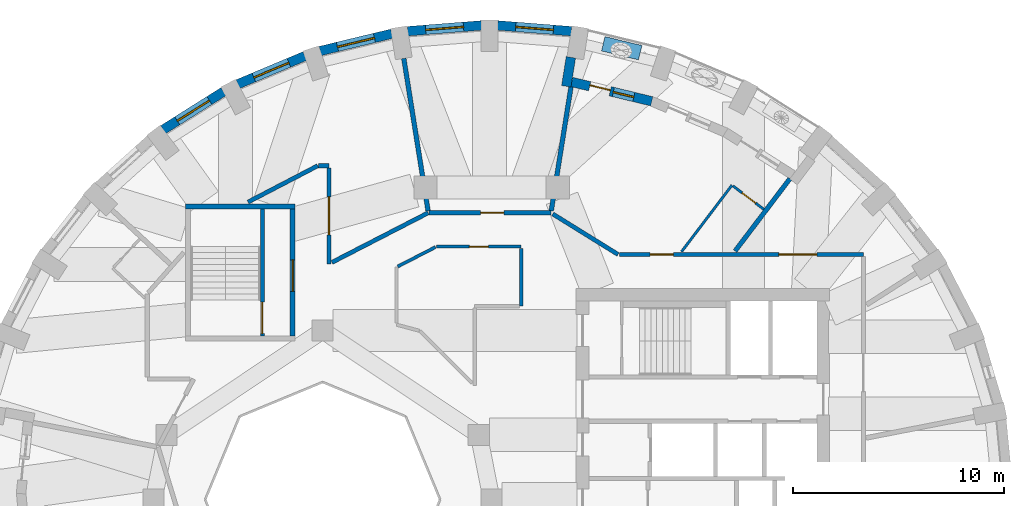
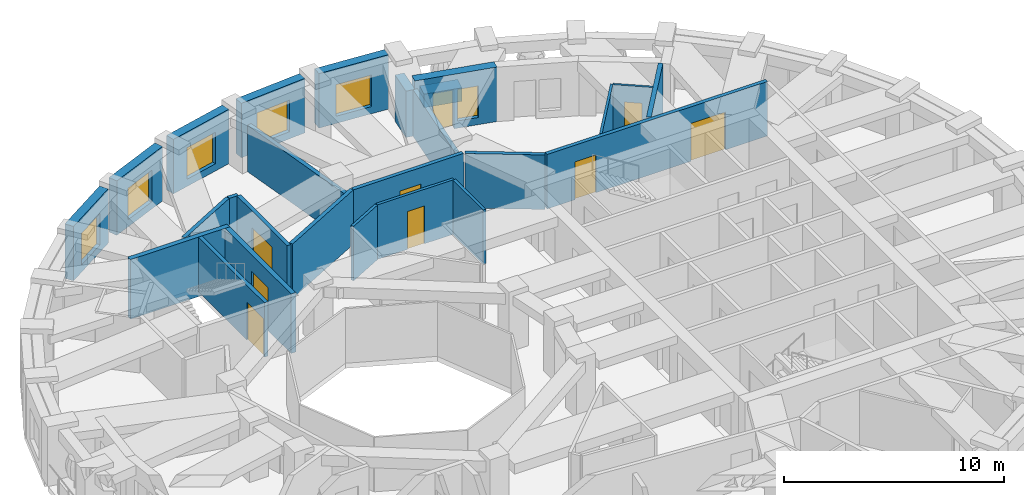
# One storey, part 7 of 12: 26 walls, 9 doors, 6 windows, 15 openings.
"""IFC4 building model written with IfcOpenShell, lengths in metres."""

import ifcopenshell
import ifcopenshell.guid

model = None  # the IFC model being written
_history = None  # IfcOwnerHistory: only IFC2X3 demands one
_inside = {}  # id of a spatial element -> (the spatial element, [elements in it])
_under = {}  # id of a project, library or spatial element -> (it, [spatial elements below it])
_declared = {}  # id of a project -> (the project, [libraries it declares])
_typed = {}  # id of a type object -> (the type object, [elements of that type])
_made_of = {}  # id of a material, layer set ... -> (it, [elements and type objects made of it])


def new_model(schema):
    """Start an empty IFC model of exactly this schema.

    Asked for "IFC4X3", IfcOpenShell would pick the latest addendum, in which some entities
    have other attributes; the version numbers below select the first issue.
    IFC2X3 requires an IfcOwnerHistory on every rooted entity: one is made here for all.
    """
    global model, _history
    if schema == "IFC4X3":
        model = ifcopenshell.file(schema_version=(4, 3, 0, 0))
    else:
        model = ifcopenshell.file(schema=schema)
    _inside.clear()
    _under.clear()
    _declared.clear()
    _typed.clear()
    _made_of.clear()
    _history = None
    if model.schema == "IFC2X3":
        org = make("IfcOrganization", Name="unknown")
        user = make(
            "IfcPersonAndOrganization",
            ThePerson=make("IfcPerson", FamilyName="unknown"),
            TheOrganization=org,
        )
        app = make(
            "IfcApplication",
            ApplicationDeveloper=org,
            Version="unknown",
            ApplicationFullName="unknown",
            ApplicationIdentifier="unknown",
        )
        _history = make(
            "IfcOwnerHistory",
            OwningUser=user,
            OwningApplication=app,
            ChangeAction="ADDED",
            CreationDate=0,
        )
    return model


def make(cls, **values):
    """One entity of the class cls with the attributes given. An attribute that is None is left unset."""
    return model.create_entity(
        cls, **{name: value for name, value in values.items() if value is not None}
    )


def rooted(cls, **values):
    """An entity with a GlobalId (a new one), such as an element, a storey or a relation."""
    return make(cls, GlobalId=ifcopenshell.guid.new(), OwnerHistory=_history, **values)


def si_unit(unit_type, name, prefix=None):
    """IfcSIUnit, for example si_unit("LENGTHUNIT", "METRE", prefix="MILLI")."""
    return make("IfcSIUnit", UnitType=unit_type, Prefix=prefix, Name=name)


def assignment(units):
    """IfcUnitAssignment: the units of a project."""
    return None if units is None else make("IfcUnitAssignment", Units=units)


def point(xyz):
    """IfcCartesianPoint."""
    return None if xyz is None else make("IfcCartesianPoint", Coordinates=xyz)


def direction(xyz):
    """IfcDirection."""
    return None if xyz is None else make("IfcDirection", DirectionRatios=xyz)


def frame(location, z_axis=None, x_axis=None):
    """IfcAxis2Placement3D, a coordinate frame: its origin and axes. An axis left out is left unset."""
    return make(
        "IfcAxis2Placement3D",
        Location=point(location),
        Axis=direction(z_axis),
        RefDirection=direction(x_axis),
    )


def frame_2d(location, x_axis=None):
    """IfcAxis2Placement2D, a coordinate frame in the plane: its origin and x axis."""
    return make(
        "IfcAxis2Placement2D", Location=point(location), RefDirection=direction(x_axis)
    )


def origin():
    """The frame at (0, 0, 0) with its axes left unset."""
    return frame((0.0, 0.0, 0.0))


def place(relative_to, where):
    """IfcLocalPlacement: puts the frame where relative to a parent placement (None: the world)."""
    return make(
        "IfcLocalPlacement", PlacementRelTo=relative_to, RelativePlacement=where
    )


def context(
    kind, dimensions, precision=None, world=None, true_north=None, identifier=None
):
    """IfcGeometricRepresentationContext, for example the 3D "Model" context."""
    return make(
        "IfcGeometricRepresentationContext",
        ContextIdentifier=identifier,
        ContextType=kind,
        CoordinateSpaceDimension=dimensions,
        Precision=precision,
        WorldCoordinateSystem=world,
        TrueNorth=true_north,
    )


def subcontext(parent, identifier, kind, view, scale=None):
    """IfcGeometricRepresentationSubContext, for example "Body" below "Model"."""
    return make(
        "IfcGeometricRepresentationSubContext",
        ContextIdentifier=identifier,
        ContextType=kind,
        ParentContext=parent,
        TargetScale=scale,
        TargetView=view,
    )


def project(units=None, contexts=None):
    """IfcProject with its units and contexts."""
    return rooted(
        "IfcProject",
        Name="project",
        RepresentationContexts=contexts,
        UnitsInContext=assignment(units),
    )


def spatial(cls, under=None, at=None, **own):
    """A site, building, storey or space (cls), placed at a placement, below another one or the project."""
    s = rooted(cls, ObjectPlacement=at, **own)
    if under is not None:
        _under.setdefault(under.id(), (under, []))[1].append(s)
    return s


def profile(cls, at=None, kind="AREA", **sizes):
    """A parametric profile (cls). Its sizes go by their IFC names, for example OverallWidth=200.0."""
    return make(cls, ProfileType=kind, Position=at, **sizes)


def rectangle(**sizes):
    """IfcRectangleProfileDef."""
    return profile("IfcRectangleProfileDef", **sizes)


def extrude(swept, where, along, depth):
    """IfcExtrudedAreaSolid: the profile swept, set in the frame where, extruded along a direction by depth."""
    return make(
        "IfcExtrudedAreaSolid",
        SweptArea=swept,
        Position=where,
        ExtrudedDirection=direction(along),
        Depth=depth,
    )


def shape(context_of_items, identifier, shape_type, items):
    """IfcShapeRepresentation: the items that make up one representation, for example the "Body"."""
    return make(
        "IfcShapeRepresentation",
        ContextOfItems=context_of_items,
        RepresentationIdentifier=identifier,
        RepresentationType=shape_type,
        Items=items,
    )


def material(Name=None, Category=None):
    """IfcMaterial."""
    return make("IfcMaterial", Name=Name, Category=Category)


def layer(
    of_material, thickness, ventilated=None, Name=None, Category=None, Priority=None
):
    """IfcMaterialLayer: one layer of a wall or slab, of a material (None: an air gap)."""
    return make(
        "IfcMaterialLayer",
        Material=of_material,
        LayerThickness=thickness,
        IsVentilated=ventilated,
        Name=Name,
        Category=Category,
        Priority=Priority,
    )


def layer_set(layers, Name=None):
    """IfcMaterialLayerSet."""
    return make("IfcMaterialLayerSet", MaterialLayers=layers, LayerSetName=Name)


def constituent(of_material, Name=None, Category=None, fraction=None):
    """IfcMaterialConstituent: one of the materials an element consists of."""
    return make(
        "IfcMaterialConstituent",
        Name=Name,
        Material=of_material,
        Fraction=fraction,
        Category=Category,
    )


def constituent_set(constituents=None, Name=None):
    """IfcMaterialConstituentSet."""
    return make(
        "IfcMaterialConstituentSet", Name=Name, MaterialConstituents=constituents
    )


def made_of(thing, what):
    """Note that an element or type object is made of a material, layer set ...; save() writes the relation."""
    if what is not None:
        _made_of.setdefault(what.id(), (what, []))[1].append(thing)
    return thing


def type_object(cls, material=None, **own):
    """A type object (cls), such as IfcWallType, which elements share."""
    return made_of(rooted(cls, **own), material)


def element(
    cls,
    number,
    at=None,
    inside=None,
    cuts=None,
    type_object=None,
    material=None,
    context=None,
    identifier="Body",
    shape_type=None,
    held_by="IfcProductDefinitionShape",
    body=None,
    shapes=None,
    **own,
):
    """One element of the class cls, such as IfcWall. Its Tag is "e" and its number.

    at: its placement. inside: the storey or other place that contains it. cuts: it is an
    opening in that element (IfcRelVoidsElement). A single representation is given by context,
    identifier, shape_type and body (its items); several are given by shapes. held_by: the class
    of the entity that holds the representations. save() writes the other relations.
    """
    e = rooted(cls, Tag="e%d" % number, ObjectPlacement=at, **own)
    if body is not None:
        shapes = [shape(context, identifier, shape_type, body)]
    if shapes is not None:
        e.Representation = make(held_by, Representations=shapes)
    if inside is not None:
        _inside.setdefault(inside.id(), (inside, []))[1].append(e)
    if cuts is not None:
        rooted(
            "IfcRelVoidsElement", RelatingBuildingElement=cuts, RelatedOpeningElement=e
        )
    if type_object is not None:
        _typed.setdefault(type_object.id(), (type_object, []))[1].append(e)
    return made_of(e, material)


def fill(opening, filler):
    """IfcRelFillsElement: the door or window that sits in an opening."""
    return rooted(
        "IfcRelFillsElement",
        RelatingOpeningElement=opening,
        RelatedBuildingElement=filler,
    )


def aggregate(whole, parts):
    """IfcRelAggregates: a whole, such as a stair, and the parts it consists of."""
    return rooted("IfcRelAggregates", RelatingObject=whole, RelatedObjects=parts)


def save(model, path):
    """Write the relations noted so far, then the file.

    IfcRelAggregates (storeys below a building ...), IfcRelContainedInSpatialStructure (elements
    in a storey), IfcRelDefinesByType, IfcRelAssociatesMaterial and IfcRelDeclares: one each for
    every whole, place, type object, material and project.
    """
    for whole, parts in _under.values():
        aggregate(whole, parts)
    for where, things in _inside.values():
        rooted(
            "IfcRelContainedInSpatialStructure",
            RelatedElements=things,
            RelatingStructure=where,
        )
    for kind, things in _typed.values():
        rooted("IfcRelDefinesByType", RelatedObjects=things, RelatingType=kind)
    for what, things in _made_of.values():
        rooted("IfcRelAssociatesMaterial", RelatedObjects=things, RelatingMaterial=what)
    for by, libraries in _declared.values():
        rooted("IfcRelDeclares", RelatingContext=by, RelatedDefinitions=libraries)
    model.write(path)


model = new_model("IFC4")

# Units and contexts
model_context = context("Model", 3, precision=1e-05, world=origin(), true_north=direction((0.0, 1.0)))
body_context = subcontext(model_context, "Body", "Model", "MODEL_VIEW")
ifc_project = project(units=[si_unit("LENGTHUNIT", "METRE"), si_unit("AREAUNIT", "SQUARE_METRE"), si_unit("VOLUMEUNIT", "CUBIC_METRE"), si_unit("PLANEANGLEUNIT", "RADIAN"), si_unit("MASSUNIT", "GRAM", prefix="KILO")], contexts=[model_context])

# Site, building, storey
site_placement = place(None, origin())
site = spatial("IfcSite", under=ifc_project, at=site_placement, CompositionType="ELEMENT")
building_placement = place(site_placement, origin())
building = spatial("IfcBuilding", under=site, at=building_placement, Name="Taillehof Tower", CompositionType="ELEMENT")
storey_placement = place(building_placement, frame((0.0, 0.0, 236.60009765625)))
storey = spatial("IfcBuildingStorey", under=building, at=storey_placement, Name="L67", CompositionType="ELEMENT", Elevation=236.60009765625)

# Wall, opening, window
ifc_material_1 = material(Name="Brick masonry", Category="masonry")
ifc_layer_1 = layer(ifc_material_1, 0.449951171875)
ifc_layer_set_1 = layer_set([ifc_layer_1], Name="Brick infill wall 450")
wall_type_1 = type_object("IfcWallType", Name="Brick infill wall 450", PredefinedType="SOLIDWALL", material=ifc_layer_set_1)
wall_1_placement = place(storey_placement, frame((3.778564453125, 22.168701171875, 0.0), z_axis=(0.0, 0.0, 1.0), x_axis=(-0.996910775835, 0.078542377245, 0.0)))
wall_1 = element("IfcWall", 1, at=wall_1_placement, inside=storey, type_object=wall_type_1, Name="Brick wall L67 bay 9", PredefinedType="SOLIDWALL", context=body_context, shape_type="SweptSolid", body=[
    extrude(rectangle(XDim=3.50927734375, YDim=0.449951171875, at=frame_2d((1.754638671875, 0.0))), origin(), (0.0, 0.0, 1.0), 3.02001953125),
])
opening_1_placement = place(wall_1_placement, frame((0.854736328125, 0.0, 0.39990234375)))
opening_1 = element("IfcOpeningElement", 2, at=opening_1_placement, cuts=wall_1, Name="Opening W4", PredefinedType="OPENING", context=body_context, shape_type="SweptSolid", body=[
    extrude(rectangle(XDim=1.800048828125, YDim=1.75, at=frame_2d((0.89990234375, 0.875))), frame((0.0, 0.23486328125, 0.0), z_axis=(0.0, -1.0, 0.0), x_axis=(1.0, 0.0, 0.0)), (0.0, 0.0, 1.0), 0.469970703125),
])
ifc_material_2 = material(Name="Aluminium window frame with clear double glazing", Category="aluminium")
window_type_1 = type_object("IfcWindowType", Name="Deep-set window 1800x1750", PartitioningType="SINGLE_PANEL", PredefinedType="WINDOW", material=ifc_material_2)
window_1_placement = place(opening_1_placement, origin())
window_1 = element("IfcWindow", 3, at=window_1_placement, inside=storey, type_object=window_type_1, Name="W4", OverallHeight=1.75, OverallWidth=1.800048828125, PartitioningType="SINGLE_PANEL", PredefinedType="WINDOW", context=body_context, shape_type="SweptSolid", body=[
    extrude(rectangle(XDim=1.800048828125, YDim=1.75, at=frame_2d((0.89990234375, 0.875))), frame((0.0, 0.034912109375, 0.0), z_axis=(0.0, -1.0, 0.0), x_axis=(1.0, 0.0, 0.0)), (0.0, 0.0, 1.0), 0.06005859375),
])
fill(opening_1, window_1)

wall_2_placement = place(storey_placement, frame((-0.47998046875, 22.4443359375, 0.0), z_axis=(0.0, 0.0, 1.0), x_axis=(-0.996910775835, -0.078542377245, 0.0)))
wall_2 = element("IfcWall", 4, at=wall_2_placement, inside=storey, type_object=wall_type_1, Name="Brick wall L67 bay 10", PredefinedType="SOLIDWALL", context=body_context, shape_type="SweptSolid", body=[
    extrude(rectangle(XDim=3.50927734375, YDim=0.449951171875, at=frame_2d((1.754638671875, 0.0))), origin(), (0.0, 0.0, 1.0), 3.02001953125),
])
opening_2_placement = place(wall_2_placement, frame((0.854736328125, 0.0, 0.39990234375)))
opening_2 = element("IfcOpeningElement", 5, at=opening_2_placement, cuts=wall_2, Name="Opening W4", PredefinedType="OPENING", context=body_context, shape_type="SweptSolid", body=[
    extrude(rectangle(XDim=1.800048828125, YDim=1.75, at=frame_2d((0.89990234375, 0.875))), frame((0.0, 0.23486328125, 0.0), z_axis=(0.0, -1.0, 0.0), x_axis=(1.0, 0.0, 0.0)), (0.0, 0.0, 1.0), 0.469970703125),
])
window_2_placement = place(opening_2_placement, origin())
window_2 = element("IfcWindow", 6, at=window_2_placement, inside=storey, type_object=window_type_1, Name="W4", OverallHeight=1.75, OverallWidth=1.800048828125, PartitioningType="SINGLE_PANEL", PredefinedType="WINDOW", context=body_context, shape_type="SweptSolid", body=[
    extrude(rectangle(XDim=1.800048828125, YDim=1.75, at=frame_2d((0.89990234375, 0.875))), frame((0.0, 0.034912109375, 0.0), z_axis=(0.0, -1.0, 0.0), x_axis=(1.0, 0.0, 0.0)), (0.0, 0.0, 1.0), 0.06005859375),
])
fill(opening_2, window_2)

wall_3_placement = place(storey_placement, frame((-4.729248046875, 22.049560546875, 0.0), z_axis=(0.0, 0.0, 1.0), x_axis=(-0.972099278496, -0.23456980357, 0.0)))
wall_3 = element("IfcWall", 7, at=wall_3_placement, inside=storey, type_object=wall_type_1, Name="Brick wall L67 bay 11", PredefinedType="SOLIDWALL", context=body_context, shape_type="SweptSolid", body=[
    extrude(rectangle(XDim=3.486572265625, YDim=0.449951171875, at=frame_2d((1.7431640625, 0.0))), origin(), (0.0, 0.0, 1.0), 3.02001953125),
])
opening_3_placement = place(wall_3_placement, frame((0.84326171875, 0.0, 0.39990234375)))
opening_3 = element("IfcOpeningElement", 8, at=opening_3_placement, cuts=wall_3, Name="Opening W4", PredefinedType="OPENING", context=body_context, shape_type="SweptSolid", body=[
    extrude(rectangle(XDim=1.800048828125, YDim=1.75, at=frame_2d((0.89990234375, 0.875))), frame((0.0, 0.23486328125, 0.0), z_axis=(0.0, -1.0, 0.0), x_axis=(1.0, 0.0, 0.0)), (0.0, 0.0, 1.0), 0.469970703125),
])
window_3_placement = place(opening_3_placement, origin())
window_3 = element("IfcWindow", 9, at=window_3_placement, inside=storey, type_object=window_type_1, Name="W4", OverallHeight=1.75, OverallWidth=1.800048828125, PartitioningType="SINGLE_PANEL", PredefinedType="WINDOW", context=body_context, shape_type="SweptSolid", body=[
    extrude(rectangle(XDim=1.800048828125, YDim=1.75, at=frame_2d((0.89990234375, 0.875))), frame((0.0, 0.034912109375, 0.0), z_axis=(0.0, -1.0, 0.0), x_axis=(1.0, 0.0, 0.0)), (0.0, 0.0, 1.0), 0.06005859375),
])
fill(opening_3, window_3)

wall_4_placement = place(storey_placement, frame((-8.8408203125, 20.994873046875, 0.0), z_axis=(0.0, 0.0, 1.0), x_axis=(-0.922024627475, -0.387131226239, 0.0)))
wall_4 = element("IfcWall", 10, at=wall_4_placement, inside=storey, type_object=wall_type_1, Name="Brick wall L67 bay 12", PredefinedType="SOLIDWALL", context=body_context, shape_type="SweptSolid", body=[
    extrude(rectangle(XDim=3.443359375, YDim=0.449951171875, at=frame_2d((1.7216796875, 0.0))), origin(), (0.0, 0.0, 1.0), 3.02001953125),
])
opening_4_placement = place(wall_4_placement, frame((0.82177734375, 0.0, 0.39990234375)))
opening_4 = element("IfcOpeningElement", 11, at=opening_4_placement, cuts=wall_4, Name="Opening W4", PredefinedType="OPENING", context=body_context, shape_type="SweptSolid", body=[
    extrude(rectangle(XDim=1.800048828125, YDim=1.75, at=frame_2d((0.89990234375, 0.875))), frame((0.0, 0.23486328125, 0.0), z_axis=(0.0, -1.0, 0.0), x_axis=(1.0, 0.0, 0.0)), (0.0, 0.0, 1.0), 0.469970703125),
])
window_4_placement = place(opening_4_placement, origin())
window_4 = element("IfcWindow", 12, at=window_4_placement, inside=storey, type_object=window_type_1, Name="W4", OverallHeight=1.75, OverallWidth=1.800048828125, PartitioningType="SINGLE_PANEL", PredefinedType="WINDOW", context=body_context, shape_type="SweptSolid", body=[
    extrude(rectangle(XDim=1.800048828125, YDim=1.75, at=frame_2d((0.89990234375, 0.875))), frame((0.0, 0.034912109375, 0.0), z_axis=(0.0, -1.0, 0.0), x_axis=(1.0, 0.0, 0.0)), (0.0, 0.0, 1.0), 0.06005859375),
])
fill(opening_4, window_4)

wall_5_placement = place(storey_placement, frame((-12.68994140625, 19.31103515625, 0.0), z_axis=(0.0, 0.0, 1.0), x_axis=(-0.845929139811, -0.53329531258, 0.0)))
wall_5 = element("IfcWall", 13, at=wall_5_placement, inside=storey, type_object=wall_type_1, Name="Brick wall L67 bay 13", PredefinedType="SOLIDWALL", context=body_context, shape_type="SweptSolid", body=[
    extrude(rectangle(XDim=3.384521484375, YDim=0.449951171875, at=frame_2d((1.6923828125, 0.0))), origin(), (0.0, 0.0, 1.0), 3.02001953125),
])
opening_5_placement = place(wall_5_placement, frame((0.792236328125, 0.0, 0.39990234375)))
opening_5 = element("IfcOpeningElement", 14, at=opening_5_placement, cuts=wall_5, Name="Opening W4", PredefinedType="OPENING", context=body_context, shape_type="SweptSolid", body=[
    extrude(rectangle(XDim=1.800048828125, YDim=1.75, at=frame_2d((0.89990234375, 0.875))), frame((0.0, 0.23486328125, 0.0), z_axis=(0.0, -1.0, 0.0), x_axis=(1.0, 0.0, 0.0)), (0.0, 0.0, 1.0), 0.469970703125),
])
window_5_placement = place(opening_5_placement, origin())
window_5 = element("IfcWindow", 15, at=window_5_placement, inside=storey, type_object=window_type_1, Name="W4", OverallHeight=1.75, OverallWidth=1.800048828125, PartitioningType="SINGLE_PANEL", PredefinedType="WINDOW", context=body_context, shape_type="SweptSolid", body=[
    extrude(rectangle(XDim=1.800048828125, YDim=1.75, at=frame_2d((0.89990234375, 0.875))), frame((0.0, 0.034912109375, 0.0), z_axis=(0.0, -1.0, 0.0), x_axis=(1.0, 0.0, 0.0)), (0.0, 0.0, 1.0), 0.06005859375),
])
fill(opening_5, window_5)

# Wall
wall_6_placement = place(storey_placement, frame((3.75146484375, 20.93359375, 0.0), z_axis=(0.0, 0.0, 1.0), x_axis=(-0.157189016474, -0.9875685359, 0.0)))
element("IfcWall", 16, at=wall_6_placement, inside=storey, type_object=wall_type_1, Name="Brick reveal L67 pocket 1", PredefinedType="SOLIDWALL", context=body_context, shape_type="SweptSolid", body=[
    extrude(rectangle(XDim=1.39013671875, YDim=0.449951171875, at=frame_2d((0.695068359375, 0.0))), origin(), (0.0, 0.0, 1.0), 2.56982421875),
])

# Wall, openings, door, window
wall_7_placement = place(storey_placement, frame((7.57958984375, 18.8505859375, 0.0), z_axis=(0.0, 0.0, 1.0), x_axis=(-0.97195784986, 0.235155136231, 0.0)))
wall_7 = element("IfcWall", 17, at=wall_7_placement, inside=storey, type_object=wall_type_1, Name="Brick wall L67 pocket bay 8", PredefinedType="SOLIDWALL", context=body_context, shape_type="SweptSolid", body=[
    extrude(rectangle(XDim=3.895263671875, YDim=0.449951171875, at=frame_2d((1.94775390625, 0.0))), origin(), (0.0, 0.0, 1.0), 3.02001953125),
])
opening_6_placement = place(wall_7_placement, frame((0.872802734375, 0.0, 0.39990234375)))
opening_6 = element("IfcOpeningElement", 18, at=opening_6_placement, cuts=wall_7, Name="Opening W5", PredefinedType="OPENING", context=body_context, shape_type="SweptSolid", body=[
    extrude(rectangle(XDim=1.0, YDim=1.75, at=frame_2d((0.5, 0.875))), frame((0.0, 0.23486328125, 0.0), z_axis=(0.0, -1.0, 0.0), x_axis=(1.0, 0.0, 0.0)), (0.0, 0.0, 1.0), 0.469970703125),
])
opening_7_placement = place(wall_7_placement, frame((2.022705078125, 0.0, 0.0)))
opening_7 = element("IfcOpeningElement", 19, at=opening_7_placement, cuts=wall_7, Name="Opening D6796", PredefinedType="OPENING", context=body_context, shape_type="SweptSolid", body=[
    extrude(rectangle(XDim=1.0, YDim=2.14990234375, at=frame_2d((0.5, 1.074951171875))), frame((0.0, 0.23486328125, 0.0), z_axis=(0.0, -1.0, 0.0), x_axis=(1.0, 0.0, 0.0)), (0.0, 0.0, 1.0), 0.469970703125),
])
ifc_material_3 = material(Name="Aluminium door frame with clear double glazing", Category="aluminium")
door_type_1 = type_object("IfcDoorType", Name="Balcony door 1000x2150", OperationType="SINGLE_SWING_RIGHT", PredefinedType="DOOR", material=ifc_material_3)
door_1_placement = place(opening_7_placement, frame((1.0, 0.0, 0.0), z_axis=(0.0, 0.0, 1.0), x_axis=(-1.0, 0.0, 0.0)))
door_1 = element("IfcDoor", 20, at=door_1_placement, inside=storey, type_object=door_type_1, Name="Balcony door L67 bay 8", OperationType="SINGLE_SWING_LEFT", OverallHeight=2.14990234375, OverallWidth=1.0, PredefinedType="DOOR", context=body_context, shape_type="SweptSolid", body=[
    extrude(rectangle(XDim=1.0, YDim=2.14990234375, at=frame_2d((0.5, 1.074951171875))), frame((0.0, 0.0751953125, 0.0), z_axis=(0.0, -1.0, 0.0), x_axis=(1.0, 0.0, 0.0)), (0.0, 0.0, 1.0), 0.050048828125),
])
fill(opening_7, door_1)
ifc_material_4 = material(Name="Aluminium window frame with clear double glazing", Category="aluminium")
window_type_2 = type_object("IfcWindowType", Name="Fixed window 1000x1750", PartitioningType="SINGLE_PANEL", PredefinedType="WINDOW", material=ifc_material_4)
window_6_placement = place(opening_6_placement, origin())
window_6 = element("IfcWindow", 21, at=window_6_placement, inside=storey, type_object=window_type_2, Name="W5", OverallHeight=1.75, OverallWidth=1.0, PartitioningType="SINGLE_PANEL", PredefinedType="WINDOW", context=body_context, shape_type="SweptSolid", body=[
    extrude(rectangle(XDim=1.0, YDim=1.75, at=frame_2d((0.5, 0.875))), frame((0.0, 0.034912109375, 0.0), z_axis=(0.0, -1.0, 0.0), x_axis=(1.0, 0.0, 0.0)), (0.0, 0.0, 1.0), 0.06005859375),
])
fill(opening_6, window_6)

# Walls
ifc_material_5 = material(Name="Gypsum board on steel studs, two layers each side", Category="steel")
ifc_layer_2 = layer(ifc_material_5, 0.199951171875)
ifc_layer_set_2 = layer_set([ifc_layer_2], Name="Compartment wall corridor 200")
wall_type_2 = type_object("IfcWallType", Name="Compartment wall corridor 200", PredefinedType="PARTITIONING", material=ifc_layer_set_2)
wall_8_placement = place(storey_placement, frame((-11.53369140625, 14.080810546875, 0.0), z_axis=(0.0, 0.0, 1.0), x_axis=(0.886975089277, 0.461817270143, 0.0)))
element("IfcWall", 22, at=wall_8_placement, inside=storey, type_object=wall_type_2, Name="Compartment wall", PredefinedType="PARTITIONING", context=body_context, shape_type="SweptSolid", body=[
    extrude(rectangle(XDim=3.72265625, YDim=0.199951171875, at=frame_2d((1.861328125, 0.0))), origin(), (0.0, 0.0, 1.0), 3.02001953125),
])
wall_9_placement = place(storey_placement, frame((-8.191650390625, 15.800048828125, 0.0), z_axis=(0.0, 0.0, 1.0), x_axis=(1.0, 0.0, 0.0)))
element("IfcWall", 23, at=wall_9_placement, inside=storey, type_object=wall_type_2, Name="Compartment wall", PredefinedType="PARTITIONING", context=body_context, shape_type="SweptSolid", body=[
    extrude(rectangle(XDim=0.49169921875, YDim=0.199951171875, at=frame_2d((0.245849609375, 0.0))), origin(), (0.0, 0.0, 1.0), 3.02001953125),
])

# Wall, opening, door
wall_10_placement = place(storey_placement, frame((-7.699951171875, 15.699951171875, 0.0), z_axis=(0.0, 0.0, 1.0), x_axis=(0.0, -1.0, 0.0)))
wall_10 = element("IfcWall", 24, at=wall_10_placement, inside=storey, type_object=wall_type_2, Name="Compartment wall", PredefinedType="PARTITIONING", context=body_context, shape_type="SweptSolid", body=[
    extrude(rectangle(XDim=4.546875, YDim=0.199951171875, at=frame_2d((2.2734375, 0.0))), origin(), (0.0, 0.0, 1.0), 3.02001953125),
])
opening_8_placement = place(wall_10_placement, frame((1.37353515625, 0.0, 0.0)))
opening_8 = element("IfcOpeningElement", 25, at=opening_8_placement, cuts=wall_10, Name="Opening D6743", PredefinedType="OPENING", context=body_context, shape_type="SweptSolid", body=[
    extrude(rectangle(XDim=1.800048828125, YDim=2.10009765625, at=frame_2d((0.89990234375, 1.050048828125))), frame((0.0, 0.10986328125, 0.0), z_axis=(0.0, -1.0, 0.0), x_axis=(1.0, 0.0, 0.0)), (0.0, 0.0, 1.0), 0.219970703125),
])
ifc_material_6 = material(Name="Timber door leaf in steel frame", Category="steel")
door_type_2 = type_object("IfcDoorType", Name="Lounge and meeting room double door EI 30 1800 x 2100", OperationType="SINGLE_SWING_LEFT", PredefinedType="DOOR", material=ifc_material_6)
door_2_placement = place(opening_8_placement, origin())
door_2 = element("IfcDoor", 26, at=door_2_placement, inside=storey, type_object=door_type_2, Name="D6743", OperationType="DOUBLE_DOOR_SINGLE_SWING", OverallHeight=2.10009765625, OverallWidth=1.800048828125, PredefinedType="DOOR", context=body_context, shape_type="SweptSolid", body=[
    extrude(rectangle(XDim=1.800048828125, YDim=2.10009765625, at=frame_2d((0.89990234375, 1.050048828125))), frame((0.0, 0.02490234375, 0.0), z_axis=(0.0, -1.0, 0.0), x_axis=(1.0, 0.0, 0.0)), (0.0, 0.0, 1.0), 0.050048828125),
])
fill(opening_8, door_2)

# Wall
wall_11_placement = place(storey_placement, frame((-7.557373046875, 11.227294921875, 0.0), z_axis=(0.0, 0.0, 1.0), x_axis=(0.889060449642, 0.457789817364, 0.0)))
element("IfcWall", 27, at=wall_11_placement, inside=storey, type_object=wall_type_2, Name="Compartment wall", PredefinedType="PARTITIONING", context=body_context, shape_type="SweptSolid", body=[
    extrude(rectangle(XDim=5.11865234375, YDim=0.199951171875, at=frame_2d((2.559326171875, 0.0))), origin(), (0.0, 0.0, 1.0), 3.02001953125),
])

# Wall, opening, door
wall_12_placement = place(storey_placement, frame((-2.966552734375, 13.570556640625, 0.0), z_axis=(0.0, 0.0, 1.0), x_axis=(1.0, 0.0, 0.0)))
wall_12 = element("IfcWall", 28, at=wall_12_placement, inside=storey, type_object=wall_type_2, Name="Compartment wall", PredefinedType="PARTITIONING", context=body_context, shape_type="SweptSolid", body=[
    extrude(rectangle(XDim=5.773193359375, YDim=0.199951171875, at=frame_2d((2.88671875, 0.0))), origin(), (0.0, 0.0, 1.0), 3.02001953125),
])
opening_9_placement = place(wall_12_placement, frame((2.441162109375, 0.0, 0.0)))
opening_9 = element("IfcOpeningElement", 29, at=opening_9_placement, cuts=wall_12, Name="Opening D6742", PredefinedType="OPENING", context=body_context, shape_type="SweptSolid", body=[
    extrude(rectangle(XDim=1.10009765625, YDim=2.10009765625, at=frame_2d((0.550048828125, 1.050048828125))), frame((0.0, 0.10986328125, 0.0), z_axis=(0.0, -1.0, 0.0), x_axis=(1.0, 0.0, 0.0)), (0.0, 0.0, 1.0), 0.219970703125),
])
ifc_material_7 = material(Name="Timber door leaf in steel frame", Category="steel")
door_type_3 = type_object("IfcDoorType", Name="Suite entrance door EI 30 1100 x 2100", OperationType="SINGLE_SWING_LEFT", PredefinedType="DOOR", material=ifc_material_7)
door_3_placement = place(opening_9_placement, origin())
door_3 = element("IfcDoor", 30, at=door_3_placement, inside=storey, type_object=door_type_3, Name="D6742", OperationType="SINGLE_SWING_RIGHT", OverallHeight=2.10009765625, OverallWidth=1.10009765625, PredefinedType="DOOR", context=body_context, shape_type="SweptSolid", body=[
    extrude(rectangle(XDim=1.10009765625, YDim=2.10009765625, at=frame_2d((0.550048828125, 1.050048828125))), frame((0.0, 0.02490234375, 0.0), z_axis=(0.0, -1.0, 0.0), x_axis=(1.0, 0.0, 0.0)), (0.0, 0.0, 1.0), 0.050048828125),
])
fill(opening_9, door_3)

# Wall
wall_13_placement = place(storey_placement, frame((2.89208984375, 13.51806640625, 0.0), z_axis=(0.0, 0.0, 1.0), x_axis=(0.849866037624, -0.526998783769, 0.0)))
element("IfcWall", 31, at=wall_13_placement, inside=storey, type_object=wall_type_2, Name="Compartment wall", PredefinedType="PARTITIONING", context=body_context, shape_type="SweptSolid", body=[
    extrude(rectangle(XDim=3.639404296875, YDim=0.199951171875, at=frame_2d((1.81982421875, 0.0))), origin(), (0.0, 0.0, 1.0), 3.02001953125),
])

# Wall, openings, doors
wall_14_placement = place(storey_placement, frame((6.045166015625, 11.60009765625, 0.0), z_axis=(0.0, 0.0, 1.0), x_axis=(1.0, 0.0, 0.0)))
wall_14 = element("IfcWall", 32, at=wall_14_placement, inside=storey, type_object=wall_type_2, Name="Compartment wall", PredefinedType="PARTITIONING", context=body_context, shape_type="SweptSolid", body=[
    extrude(rectangle(XDim=11.554931640625, YDim=0.199951171875, at=frame_2d((5.77734375, 0.0))), origin(), (0.0, 0.0, 1.0), 3.02001953125),
])
opening_10_placement = place(wall_14_placement, frame((1.4609375, 0.0, 0.0)))
opening_10 = element("IfcOpeningElement", 33, at=opening_10_placement, cuts=wall_14, Name="Opening D6740", PredefinedType="OPENING", context=body_context, shape_type="SweptSolid", body=[
    extrude(rectangle(XDim=1.10009765625, YDim=2.10009765625, at=frame_2d((0.550048828125, 1.050048828125))), frame((0.0, 0.10986328125, 0.0), z_axis=(0.0, -1.0, 0.0), x_axis=(1.0, 0.0, 0.0)), (0.0, 0.0, 1.0), 0.219970703125),
])
opening_11_placement = place(wall_14_placement, frame((7.548828125, 0.0, 0.0)))
opening_11 = element("IfcOpeningElement", 34, at=opening_11_placement, cuts=wall_14, Name="Opening D6757", PredefinedType="OPENING", context=body_context, shape_type="SweptSolid", body=[
    extrude(rectangle(XDim=1.800048828125, YDim=2.10009765625, at=frame_2d((0.89990234375, 1.050048828125))), frame((0.0, 0.10986328125, 0.0), z_axis=(0.0, -1.0, 0.0), x_axis=(1.0, 0.0, 0.0)), (0.0, 0.0, 1.0), 0.219970703125),
])
door_4_placement = place(opening_11_placement, origin())
door_4 = element("IfcDoor", 35, at=door_4_placement, inside=storey, type_object=door_type_2, Name="D6757", OperationType="DOUBLE_DOOR_SINGLE_SWING", OverallHeight=2.10009765625, OverallWidth=1.800048828125, PredefinedType="DOOR", context=body_context, shape_type="SweptSolid", body=[
    extrude(rectangle(XDim=1.800048828125, YDim=2.10009765625, at=frame_2d((0.89990234375, 1.050048828125))), frame((0.0, 0.02490234375, 0.0), z_axis=(0.0, -1.0, 0.0), x_axis=(1.0, 0.0, 0.0)), (0.0, 0.0, 1.0), 0.050048828125),
])
fill(opening_11, door_4)
door_5_placement = place(opening_10_placement, origin())
door_5 = element("IfcDoor", 36, at=door_5_placement, inside=storey, type_object=door_type_3, Name="D6740", OperationType="SINGLE_SWING_RIGHT", OverallHeight=2.10009765625, OverallWidth=1.10009765625, PredefinedType="DOOR", context=body_context, shape_type="SweptSolid", body=[
    extrude(rectangle(XDim=1.10009765625, YDim=2.10009765625, at=frame_2d((0.550048828125, 1.050048828125))), frame((0.0, 0.02490234375, 0.0), z_axis=(0.0, -1.0, 0.0), x_axis=(1.0, 0.0, 0.0)), (0.0, 0.0, 1.0), 0.050048828125),
])
fill(opening_10, door_5)

# Walls
ifc_material_8 = material(Name="Gypsum board on double steel studs with mineral wool", Category="steel")
ifc_layer_3 = layer(ifc_material_8, 0.219970703125)
ifc_layer_set_3 = layer_set([ifc_layer_3], Name="Compartment wall guest room 220")
wall_type_3 = type_object("IfcWallType", Name="Compartment wall guest room 220", PredefinedType="PARTITIONING", material=ifc_layer_set_3)
wall_15_placement = place(storey_placement, frame((14.11865234375, 15.186767578125, 0.0), z_axis=(0.0, 0.0, 1.0), x_axis=(-0.604075434344, -0.796927141978, 0.0)))
element("IfcWall", 37, at=wall_15_placement, inside=storey, type_object=wall_type_3, Name="Compartment wall", PredefinedType="PARTITIONING", context=body_context, shape_type="SweptSolid", body=[
    extrude(rectangle(XDim=4.29541015625, YDim=0.219970703125, at=frame_2d((2.147705078125, 0.0))), origin(), (0.0, 0.0, 1.0), 3.02001953125),
])
wall_16_placement = place(storey_placement, frame((3.758056640625, 19.543701171875, 0.0), z_axis=(0.0, 0.0, 1.0), x_axis=(-0.157279717869, -0.987554094897, 0.0)))
element("IfcWall", 38, at=wall_16_placement, inside=storey, type_object=wall_type_3, Name="Compartment wall", PredefinedType="PARTITIONING", context=body_context, shape_type="SweptSolid", body=[
    extrude(rectangle(XDim=5.9482421875, YDim=0.219970703125, at=frame_2d((2.97412109375, 0.0))), origin(), (0.0, 0.0, 1.0), 2.56982421875),
])
wall_17_placement = place(storey_placement, frame((-4.158203125, 20.88037109375, 0.0), z_axis=(0.0, 0.0, 1.0), x_axis=(0.157260291638, -0.987557188559, 0.0)))
element("IfcWall", 39, at=wall_17_placement, inside=storey, type_object=wall_type_3, Name="Compartment wall", PredefinedType="PARTITIONING", context=body_context, shape_type="SweptSolid", body=[
    extrude(rectangle(XDim=7.302734375, YDim=0.219970703125, at=frame_2d((3.6513671875, 0.0))), origin(), (0.0, 0.0, 1.0), 2.56982421875),
])

# Wall, opening, door
ifc_material_9 = material(Name="Gypsum board on steel studs, two layers each side", Category="steel")
ifc_layer_4 = layer(ifc_material_9, 0.14990234375)
ifc_layer_set_4 = layer_set([ifc_layer_4], Name="Compartment wall service room 150")
wall_type_4 = type_object("IfcWallType", Name="Compartment wall service room 150", PredefinedType="PARTITIONING", material=ifc_layer_set_4)
wall_18_placement = place(storey_placement, frame((-2.618896484375, 11.970458984375, 0.0), z_axis=(0.0, 0.0, 1.0), x_axis=(1.0, 0.0, 0.0)))
wall_18 = element("IfcWall", 40, at=wall_18_placement, inside=storey, type_object=wall_type_4, Name="Compartment wall", PredefinedType="PARTITIONING", context=body_context, shape_type="SweptSolid", body=[
    extrude(rectangle(XDim=4.018798828125, YDim=0.14990234375, at=frame_2d((2.00927734375, 0.0))), origin(), (0.0, 0.0, 1.0), 3.02001953125),
])
opening_12_placement = place(wall_18_placement, frame((1.559326171875, 0.0, 0.0)))
opening_12 = element("IfcOpeningElement", 41, at=opening_12_placement, cuts=wall_18, Name="Opening D6758", PredefinedType="OPENING", context=body_context, shape_type="SweptSolid", body=[
    extrude(rectangle(XDim=0.89990234375, YDim=2.10009765625, at=frame_2d((0.449951171875, 1.050048828125))), frame((0.0, 0.0849609375, 0.0), z_axis=(0.0, -1.0, 0.0), x_axis=(1.0, 0.0, 0.0)), (0.0, 0.0, 1.0), 0.169921875),
])
ifc_material_10 = material(Name="Timber door leaf in steel frame", Category="steel")
door_type_4 = type_object("IfcDoorType", Name="Service room door EI 30 900 x 2100", OperationType="SINGLE_SWING_LEFT", PredefinedType="DOOR", material=ifc_material_10)
door_6_placement = place(opening_12_placement, origin())
door_6 = element("IfcDoor", 42, at=door_6_placement, inside=storey, type_object=door_type_4, Name="D6758", OperationType="SINGLE_SWING_RIGHT", OverallHeight=2.10009765625, OverallWidth=0.89990234375, PredefinedType="DOOR", context=body_context, shape_type="SweptSolid", body=[
    extrude(rectangle(XDim=0.89990234375, YDim=2.10009765625, at=frame_2d((0.449951171875, 1.050048828125))), frame((0.0, 0.02490234375, 0.0), z_axis=(0.0, -1.0, 0.0), x_axis=(1.0, 0.0, 0.0)), (0.0, 0.0, 1.0), 0.050048828125),
])
fill(opening_12, door_6)

# Walls
wall_19_placement = place(storey_placement, frame((1.39990234375, 11.890380859375, 0.0), z_axis=(0.0, 0.0, 1.0), x_axis=(0.0, -1.0, 0.0)))
element("IfcWall", 43, at=wall_19_placement, inside=storey, type_object=wall_type_4, Name="Compartment wall", PredefinedType="PARTITIONING", context=body_context, shape_type="SweptSolid", body=[
    extrude(rectangle(XDim=2.740478515625, YDim=0.14990234375, at=frame_2d((1.3701171875, 0.0))), origin(), (0.0, 0.0, 1.0), 3.02001953125),
])
wall_20_placement = place(storey_placement, frame((-4.446533203125, 11.029296875, 0.0), z_axis=(0.0, 0.0, 1.0), x_axis=(0.88908361723, 0.457744821459, 0.0)))
element("IfcWall", 44, at=wall_20_placement, inside=storey, type_object=wall_type_4, Name="Compartment wall", PredefinedType="PARTITIONING", context=body_context, shape_type="SweptSolid", body=[
    extrude(rectangle(XDim=2.015625, YDim=0.14990234375, at=frame_2d((1.0078125, 0.0))), origin(), (0.0, 0.0, 1.0), 3.02001953125),
])
ifc_material_11 = material(Name="Gypsum board on steel studs, moisture resistant", Category="steel")
ifc_layer_5 = layer(ifc_material_11, 0.1201171875)
ifc_layer_set_5 = layer_set([ifc_layer_5], Name="En-suite wall 120")
wall_type_5 = type_object("IfcWallType", Name="En-suite wall 120", PredefinedType="PARTITIONING", material=ifc_layer_set_5)
wall_21_placement = place(storey_placement, frame((8.990478515625, 11.73193359375, 0.0), z_axis=(0.0, 0.0, 1.0), x_axis=(0.604075378366, 0.79692718441, 0.0)))
element("IfcWall", 45, at=wall_21_placement, inside=storey, type_object=wall_type_5, Name="En-suite wall", PredefinedType="PARTITIONING", context=body_context, shape_type="SweptSolid", body=[
    extrude(rectangle(XDim=3.950927734375, YDim=0.1201171875, at=frame_2d((1.9755859375, 0.0))), origin(), (0.0, 0.0, 1.0), 3.02001953125),
])

# Wall, opening, door
wall_22_placement = place(storey_placement, frame((11.425048828125, 14.844482421875, 0.0), z_axis=(0.0, 0.0, 1.0), x_axis=(0.796899454755, -0.604111959004, 0.0)))
wall_22 = element("IfcWall", 46, at=wall_22_placement, inside=storey, type_object=wall_type_5, Name="En-suite wall", PredefinedType="PARTITIONING", context=body_context, shape_type="SweptSolid", body=[
    extrude(rectangle(XDim=1.829833984375, YDim=0.1201171875, at=frame_2d((0.9150390625, 0.0))), origin(), (0.0, 0.0, 1.0), 3.02001953125),
])
opening_13_placement = place(wall_22_placement, frame((0.5400390625, 0.0, 0.0)))
opening_13 = element("IfcOpeningElement", 47, at=opening_13_placement, cuts=wall_22, Name="Opening D6741", PredefinedType="OPENING", context=body_context, shape_type="SweptSolid", body=[
    extrude(rectangle(XDim=0.800048828125, YDim=2.10009765625, at=frame_2d((0.39990234375, 1.050048828125))), frame((0.0, 0.070068359375, 0.0), z_axis=(0.0, -1.0, 0.0), x_axis=(1.0, 0.0, 0.0)), (0.0, 0.0, 1.0), 0.14013671875),
])
ifc_material_12 = material(Name="Timber door leaf in steel frame", Category="steel")
door_type_5 = type_object("IfcDoorType", Name="En-suite door 800 x 2100", OperationType="SINGLE_SWING_LEFT", PredefinedType="DOOR", material=ifc_material_12)
door_7_placement = place(opening_13_placement, origin())
door_7 = element("IfcDoor", 48, at=door_7_placement, inside=storey, type_object=door_type_5, Name="D6741", OperationType="SINGLE_SWING_RIGHT", OverallHeight=2.10009765625, OverallWidth=0.800048828125, PredefinedType="DOOR", context=body_context, shape_type="SweptSolid", body=[
    extrude(rectangle(XDim=0.800048828125, YDim=2.10009765625, at=frame_2d((0.39990234375, 1.050048828125))), frame((0.0, 0.02490234375, 0.0), z_axis=(0.0, -1.0, 0.0), x_axis=(1.0, 0.0, 0.0)), (0.0, 0.0, 1.0), 0.050048828125),
])
fill(opening_13, door_7)

# Wall
ifc_material_13 = material(Name="Concrete C30/37 precast", Category="concrete")
ifc_constituent_1 = constituent(ifc_material_13, Name="Structure", Category="concrete")
ifc_material_14 = material(Name="Insulated lining")
ifc_constituent_2 = constituent(ifc_material_14, Name="Lining")
ifc_constituent_set = constituent_set(constituents=[ifc_constituent_1, ifc_constituent_2], Name="Planter trough 700x750")
wall_type_6 = type_object("IfcWallType", Name="Planter trough 700x750", PredefinedType="USERDEFINED", material=ifc_constituent_set)
wall_23_placement = place(storey_placement, frame((7.0322265625, 21.152587890625, 0.0), z_axis=(0.0, 0.0, 1.0), x_axis=(-0.972112071369, 0.234516781275, 0.0)))
element("IfcWall", 49, at=wall_23_placement, inside=storey, type_object=wall_type_6, Name="Planter L67 bay 8", ObjectType="PLANTER", PredefinedType="USERDEFINED", context=body_context, shape_type="SweptSolid", body=[
    extrude(rectangle(XDim=1.800048828125, YDim=0.699951171875, at=frame_2d((0.89990234375, 0.0))), origin(), (0.0, 0.0, 1.0), 0.75),
])

# Wall, opening, door
ifc_material_15 = material(Name="Concrete C50/60", Category="concrete")
ifc_layer_6 = layer(ifc_material_15, 0.199951171875)
ifc_layer_set_6 = layer_set([ifc_layer_6], Name="Shaft wall C50/60 200")
wall_type_7 = type_object("IfcWallType", Name="Shaft wall C50/60 200", PredefinedType="SHEAR", material=ifc_layer_set_6)
wall_24_placement = place(storey_placement, frame((-10.85009765625, 7.75, 0.0), z_axis=(0.0, 0.0, 1.0), x_axis=(0.0, 1.0, 0.0)))
wall_24 = element("IfcWall", 50, at=wall_24_placement, inside=storey, type_object=wall_type_7, Name="Shaft wall SW", PredefinedType="SHEAR", context=body_context, shape_type="SweptSolid", body=[
    extrude(rectangle(XDim=6.0, YDim=0.199951171875, at=frame_2d((3.0, 0.0))), origin(), (0.0, 0.0, 1.0), 3.02001953125),
])
opening_14_placement = place(wall_24_placement, frame((0.10009765625, 0.0, 0.0)))
opening_14 = element("IfcOpeningElement", 51, at=opening_14_placement, cuts=wall_24, Name="Opening D6712", PredefinedType="OPENING", context=body_context, shape_type="SweptSolid", body=[
    extrude(rectangle(XDim=1.5, YDim=2.10009765625, at=frame_2d((0.75, 1.050048828125))), frame((0.0, 0.10986328125, 0.0), z_axis=(0.0, -1.0, 0.0), x_axis=(1.0, 0.0, 0.0)), (0.0, 0.0, 1.0), 0.219970703125),
])
ifc_material_16 = material(Name="Steel-faced fire door", Category="steel")
door_type_6 = type_object("IfcDoorType", Name="Stair door 1500x2100", OperationType="DOUBLE_DOOR_SINGLE_SWING", PredefinedType="DOOR", material=ifc_material_16)
door_8_placement = place(opening_14_placement, origin())
door_8 = element("IfcDoor", 52, at=door_8_placement, inside=storey, type_object=door_type_6, Name="Stair lobby door S3", OperationType="DOUBLE_DOOR_SINGLE_SWING", OverallHeight=2.10009765625, OverallWidth=1.5, PredefinedType="DOOR", context=body_context, shape_type="SweptSolid", body=[
    extrude(rectangle(XDim=1.5, YDim=2.10009765625, at=frame_2d((0.75, 1.050048828125))), frame((0.0, 0.02490234375, 0.0), z_axis=(0.0, -1.0, 0.0), x_axis=(1.0, 0.0, 0.0)), (0.0, 0.0, 1.0), 0.050048828125),
])
fill(opening_14, door_8)

ifc_material_17 = material(Name="Concrete C50/60", Category="concrete")
ifc_layer_7 = layer(ifc_material_17, 0.25)
ifc_layer_set_7 = layer_set([ifc_layer_7], Name="Stair wall C50/60 250")
wall_type_8 = type_object("IfcWallType", Name="Stair wall C50/60 250", PredefinedType="SHEAR", material=ifc_layer_set_7)
wall_25_placement = place(storey_placement, frame((-9.425048828125, 7.75, -0.280029296875), z_axis=(0.0, 0.0, 1.0), x_axis=(0.0, 1.0, 0.0)))
wall_25 = element("IfcWall", 53, at=wall_25_placement, inside=storey, type_object=wall_type_8, Name="Stair wall SC", PredefinedType="SHEAR", context=body_context, shape_type="SweptSolid", body=[
    extrude(rectangle(XDim=6.0, YDim=0.25, at=frame_2d((3.0, 0.0))), origin(), (0.0, 0.0, 1.0), 3.300048828125),
])
opening_15_placement = place(wall_25_placement, frame((2.10009765625, 0.0, 0.280029296875)))
opening_15 = element("IfcOpeningElement", 54, at=opening_15_placement, cuts=wall_25, Name="Opening D6715", PredefinedType="OPENING", context=body_context, shape_type="SweptSolid", body=[
    extrude(rectangle(XDim=1.5, YDim=2.10009765625, at=frame_2d((0.75, 1.050048828125))), frame((0.0, 0.135009765625, 0.0), z_axis=(0.0, -1.0, 0.0), x_axis=(1.0, 0.0, 0.0)), (0.0, 0.0, 1.0), 0.27001953125),
])
door_9_placement = place(opening_15_placement, origin())
door_9 = element("IfcDoor", 55, at=door_9_placement, inside=storey, type_object=door_type_6, Name="Stair door S3", OperationType="DOUBLE_DOOR_SINGLE_SWING", OverallHeight=2.10009765625, OverallWidth=1.5, PredefinedType="DOOR", context=body_context, shape_type="SweptSolid", body=[
    extrude(rectangle(XDim=1.5, YDim=2.10009765625, at=frame_2d((0.75, 1.050048828125))), frame((0.0, 0.02490234375, 0.0), z_axis=(0.0, -1.0, 0.0), x_axis=(1.0, 0.0, 0.0)), (0.0, 0.0, 1.0), 0.050048828125),
])
fill(opening_15, door_9)

# Wall
wall_26_placement = place(storey_placement, frame((-14.5, 13.875, -0.280029296875), z_axis=(0.0, 0.0, 1.0), x_axis=(1.0, 0.0, 0.0)))
element("IfcWall", 56, at=wall_26_placement, inside=storey, type_object=wall_type_8, Name="Stair wall SC", PredefinedType="SHEAR", context=body_context, shape_type="SweptSolid", body=[
    extrude(rectangle(XDim=5.199951171875, YDim=0.25, at=frame_2d((2.60009765625, 0.0))), origin(), (0.0, 0.0, 1.0), 3.300048828125),
])

save(model, "model.ifc")
